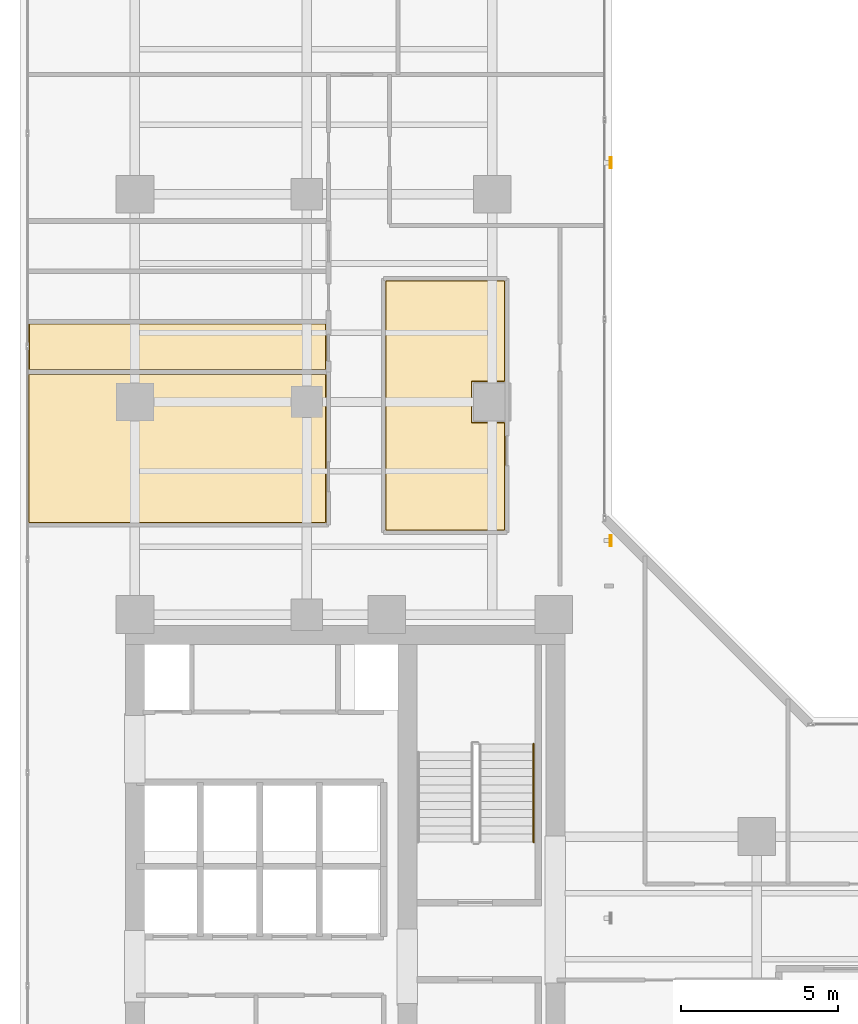
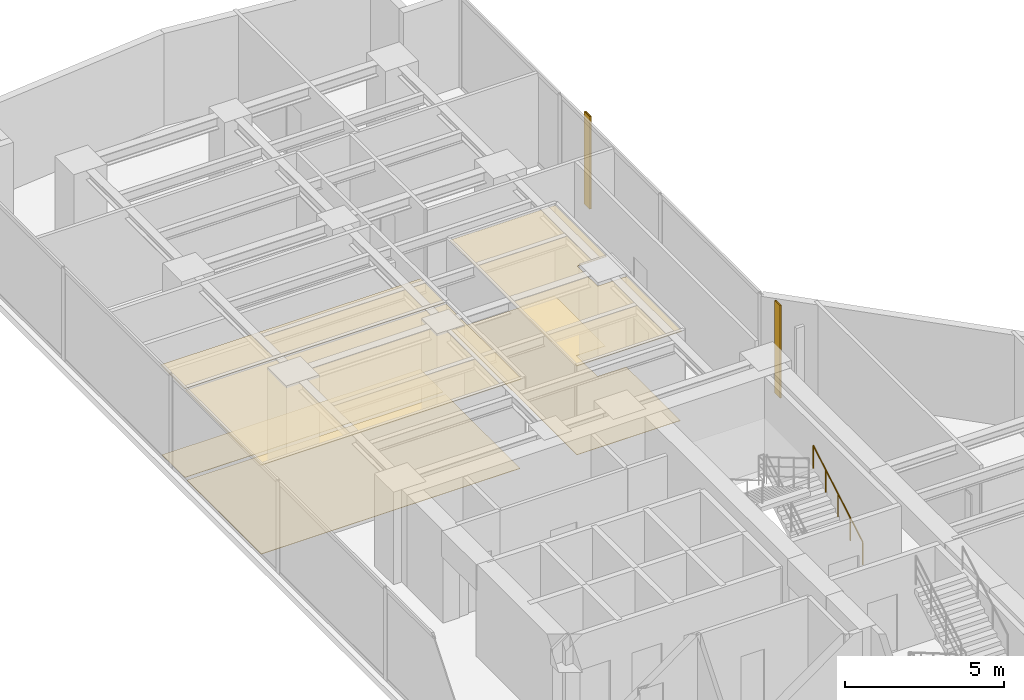
# One storey, part 24 of 24: 6 coverings, 2 shading devices, 1 railing.
"""IFC4 building model written with IfcOpenShell, lengths in metres."""

from ifc_helpers import new_model, si_unit, direction, frame, origin, origin_2d, place, context, subcontext, project, spatial, polyline, hollow_rectangle, circle, outline, extrude, material, layer, layer_set, material_profile, profile_set, type_object, element, save


model = new_model("IFC4")

# Units and contexts
model_context = context("Model", 3, precision=1e-05, world=origin(), true_north=direction((0.0, 1.0)))
body_context = subcontext(model_context, "Body", "Model", "MODEL_VIEW")
ifc_project = project(units=[si_unit("LENGTHUNIT", "METRE"), si_unit("AREAUNIT", "SQUARE_METRE"), si_unit("VOLUMEUNIT", "CUBIC_METRE"), si_unit("PLANEANGLEUNIT", "RADIAN"), si_unit("MASSUNIT", "GRAM", prefix="KILO")], contexts=[model_context])

# Site, building, storey
site_placement = place(None, origin())
site = spatial("IfcSite", under=ifc_project, at=site_placement, CompositionType="ELEMENT")
building_placement = place(site_placement, origin())
building = spatial("IfcBuilding", under=site, at=building_placement, Name="Kolvaren Waterfront Exchange", CompositionType="ELEMENT")
storey_placement = place(building_placement, frame((0.0, 0.0, 153.800048828125)))
storey = spatial("IfcBuildingStorey", under=building, at=storey_placement, Name="L39", CompositionType="ELEMENT", Elevation=153.800048828125)

# Coverings
ifc_material_1 = material(Name="Mineral fibre acoustic ceiling tile")
ifc_layer_1 = layer(ifc_material_1, 0.02490234375, Name="Mineral fibre acoustic ceiling tile")
ifc_layer_set_1 = layer_set([ifc_layer_1], Name="Mineral fibre acoustic ceiling tile")
covering_type_1 = type_object("IfcCoveringType", Name="ARC-CEIL-ACOUSTIC-25", PredefinedType="CEILING", material=ifc_layer_set_1)
covering_1_placement = place(storey_placement, frame((0.0, 0.0, 3.445068359375)))
element("IfcCovering", 1, at=covering_1_placement, inside=storey, type_object=covering_type_1, Name="L39 acoustic suspended ceiling 1", PredefinedType="CEILING", context=body_context, shape_type="SweptSolid", body=[
    extrude(outline(polyline([(19.22509765625, 30.56005859375), (18.159912109375, 30.56005859375), (18.159912109375, 31.840087890625), (19.22509765625, 31.840087890625), (19.22509765625, 35.074951171875), (15.39501953125, 35.074951171875), (15.39501953125, 27.094970703125), (19.22509765625, 27.094970703125), (19.22509765625, 30.56005859375)])), origin(), (0.0, 0.0, 1.0), 0.02490234375),
])
covering_2_placement = place(storey_placement, frame((0.0, 0.0, 3.445068359375)))
element("IfcCovering", 2, at=covering_2_placement, inside=storey, type_object=covering_type_1, Name="L39 acoustic suspended ceiling 2", PredefinedType="CEILING", context=body_context, shape_type="SweptSolid", body=[
    extrude(outline(polyline([(13.534912109375, 27.344970703125), (13.534912109375, 32.10498046875), (4.044921875, 32.10498046875), (4.044921875, 27.344970703125), (13.534912109375, 27.344970703125)])), origin(), (0.0, 0.0, 1.0), 0.02490234375),
])
covering_3_placement = place(storey_placement, frame((0.0, 0.0, 3.445068359375)))
element("IfcCovering", 3, at=covering_3_placement, inside=storey, type_object=covering_type_1, Name="L39 acoustic suspended ceiling 3", PredefinedType="CEILING", context=body_context, shape_type="SweptSolid", body=[
    extrude(outline(polyline([(13.534912109375, 32.195068359375), (13.534912109375, 33.705078125), (4.06494140625, 33.705078125), (4.06494140625, 32.195068359375), (13.534912109375, 32.195068359375)])), origin(), (0.0, 0.0, 1.0), 0.02490234375),
])

# Shading devices
ifc_material_2 = material(Name="Anodised bronze aluminium 6063-T6", Category="aluminium")
ifc_material_profile = material_profile(ifc_material_2, hollow_rectangle(XDim=0.06005859375, YDim=0.35009765625, WallThickness=0.0048828125, at=origin_2d()), Name="BRZ-FIN-350x60x5")
ifc_profile_set = profile_set([ifc_material_profile], Name="Anodised bronze aluminium 6063-T6")
shading_device_type = type_object("IfcShadingDeviceType", Name="ARC-FIN-350", PredefinedType="USERDEFINED", material=ifc_profile_set)
for number, where, z_axis, x_axis, name in (
    (4, (22.56005859375, 26.800048828125, 0.0), (0.0, 0.0, 1.0), (1.0, 0.0, 0.0), "L39 anodised bronze solar shading fin FIN-L39-E2"),
    (5, (22.56005859375, 38.800048828125, 0.0), (0.0, 0.0, 1.0), (1.0, 0.0, 0.0), "L39 anodised bronze solar shading fin FIN-L39-E3"),
):
    element("IfcShadingDevice", number, at=place(storey_placement, frame(where, z_axis=z_axis, x_axis=x_axis)), inside=storey, type_object=shading_device_type, Name=name, ObjectType="SOLAR FIN", PredefinedType="USERDEFINED", context=body_context, shape_type="SweptSolid", body=[
        extrude(hollow_rectangle(XDim=0.06005859375, YDim=0.35009765625, WallThickness=0.0048828125, at=origin_2d()), origin(), (0.0, 0.0, 1.0), 3.56005859375),
    ])

# Coverings
ifc_material_3 = material(Name="Slip-resistant porcelain tile")
ifc_layer_2 = layer(ifc_material_3, 0.014892578125, Name="Slip-resistant porcelain tile")
ifc_layer_set_2 = layer_set([ifc_layer_2], Name="Slip-resistant porcelain tile")
covering_type_2 = type_object("IfcCoveringType", Name="ARC-FLR-PORC-15", PredefinedType="FLOORING", material=ifc_layer_set_2)
covering_4_placement = place(storey_placement, origin())
element("IfcCovering", 6, at=covering_4_placement, inside=storey, type_object=covering_type_2, Name="L39 floor finish 1", PredefinedType="FLOORING", context=body_context, shape_type="SweptSolid", body=[
    extrude(outline(polyline([(15.429931640625, 35.0400390625), (15.429931640625, 27.1298828125), (19.18994140625, 27.1298828125), (19.18994140625, 30.5400390625), (18.139892578125, 30.5400390625), (18.139892578125, 31.860107421875), (19.18994140625, 31.860107421875), (19.18994140625, 35.0400390625), (15.429931640625, 35.0400390625)])), origin(), (0.0, 0.0, 1.0), 0.014892578125),
])
covering_5_placement = place(storey_placement, origin())
element("IfcCovering", 7, at=covering_5_placement, inside=storey, type_object=covering_type_2, Name="L39 floor finish 2", PredefinedType="FLOORING", context=body_context, shape_type="SweptSolid", body=[
    extrude(outline(polyline([(4.080078125, 32.070068359375), (4.080078125, 27.3798828125), (13.5, 27.3798828125), (13.5, 32.070068359375), (4.080078125, 32.070068359375)])), origin(), (0.0, 0.0, 1.0), 0.014892578125),
])
covering_6_placement = place(storey_placement, origin())
element("IfcCovering", 8, at=covering_6_placement, inside=storey, type_object=covering_type_2, Name="L39 floor finish 3", PredefinedType="FLOORING", context=body_context, shape_type="SweptSolid", body=[
    extrude(outline(polyline([(4.10009765625, 33.669921875), (4.10009765625, 32.22998046875), (13.5, 32.22998046875), (13.5, 33.669921875), (4.10009765625, 33.669921875)])), origin(), (0.0, 0.0, 1.0), 0.014892578125),
])

# Railing
ifc_material_4 = material(Name="Stainless steel 316", Category="steel")
railing_type = type_object("IfcRailingType", Name="ARC-HANDRAIL-900", PredefinedType="HANDRAIL", material=ifc_material_4)
railing_placement = place(storey_placement, frame((20.110107421875, 17.219970703125, 0.15185546875)))
element("IfcRailing", 9, at=railing_placement, inside=storey, type_object=railing_type, Name="L39 ST2 stair handrail 1", PredefinedType="HANDRAIL", context=body_context, shape_type="SweptSolid", body=[
    extrude(circle(Radius=0.02392578125, at=origin_2d()), frame((0.0, 0.0, 0.8759765625), z_axis=(0.0, 0.86330811405, 0.504677223793), x_axis=(-1.0, 0.0, 0.0)), (0.0, 0.0, 1.0), 3.6142578125),
    extrude(circle(Radius=0.02099609375, at=origin_2d()), origin(), (0.0, 0.0, 1.0), 0.851806640625),
    extrude(circle(Radius=0.02099609375, at=origin_2d()), frame((0.0, 0.780029296875, 0.4560546875)), (0.0, 0.0, 1.0), 0.851806640625),
    extrude(circle(Radius=0.02099609375, at=origin_2d()), frame((0.0, 1.56005859375, 0.912109375)), (0.0, 0.0, 1.0), 0.851806640625),
    extrude(circle(Radius=0.02099609375, at=origin_2d()), frame((0.0, 2.340087890625, 1.367919921875)), (0.0, 0.0, 1.0), 0.851806640625),
    extrude(circle(Radius=0.02099609375, at=origin_2d()), frame((0.0, 3.1201171875, 1.823974609375)), (0.0, 0.0, 1.0), 0.851806640625),
])

save(model, "model.ifc")
